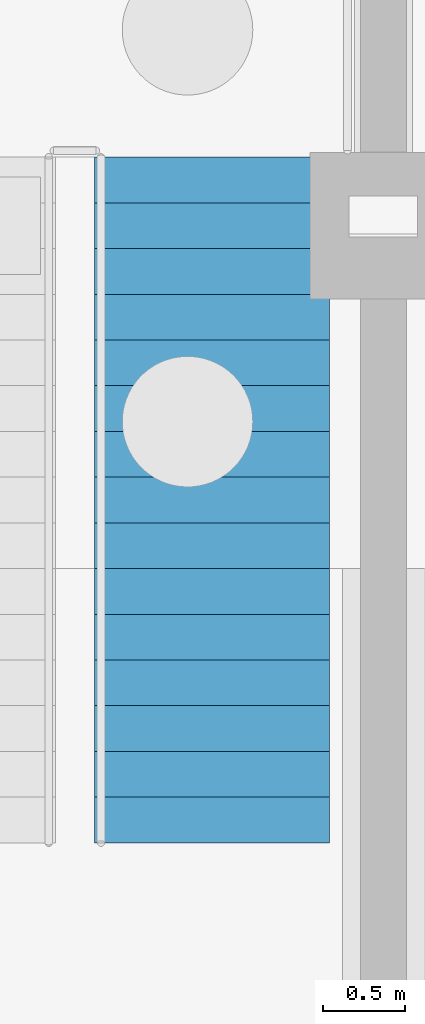
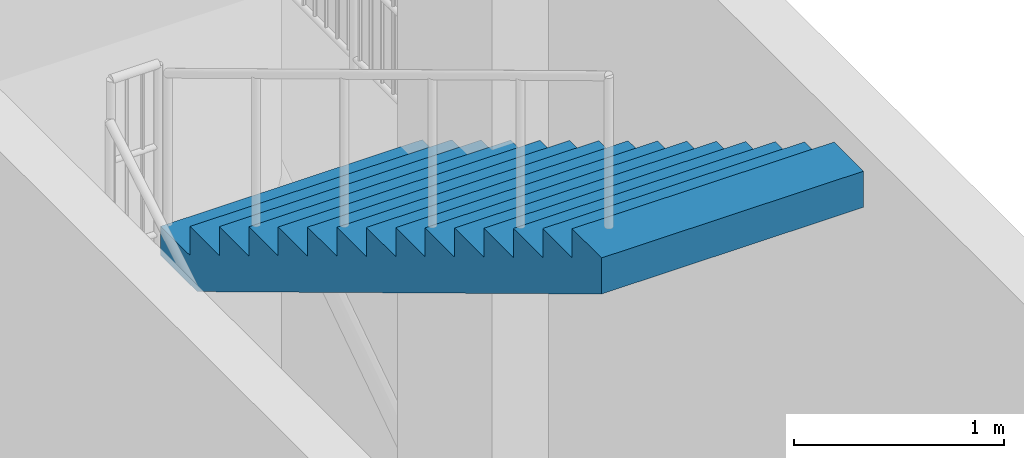
# One storey, part 28 of 35: 1 stair flight, 1 element without a shape of its own.
"""IFC4 building model written with IfcOpenShell, lengths in metres."""

from ifc_helpers import new_model, si_unit, direction, frame, origin, place, context, subcontext, project, spatial, polyline, outline, extrude, material, type_object, element, aggregate, save


model = new_model("IFC4")

# Units and contexts
model_context = context("Model", 3, precision=1e-05, world=origin(), true_north=direction((0.0, 1.0)))
body_context = subcontext(model_context, "Body", "Model", "MODEL_VIEW")
ifc_project = project(units=[si_unit("LENGTHUNIT", "METRE"), si_unit("AREAUNIT", "SQUARE_METRE"), si_unit("VOLUMEUNIT", "CUBIC_METRE"), si_unit("PLANEANGLEUNIT", "RADIAN"), si_unit("MASSUNIT", "GRAM", prefix="KILO")], contexts=[model_context])

# Site, building, storey
site_placement = place(None, origin())
site = spatial("IfcSite", under=ifc_project, at=site_placement, CompositionType="ELEMENT")
building_placement = place(site_placement, origin())
building = spatial("IfcBuilding", under=site, at=building_placement, Name="Vesperath Aquatics Centre", CompositionType="ELEMENT")
storey_placement = place(building_placement, frame((0.0, 0.0, -5.39990234375)))
storey = spatial("IfcBuildingStorey", under=building, at=storey_placement, Name="B1", CompositionType="ELEMENT", Elevation=-5.39990234375)

# Stair, stair flight
ifc_material = material(Name="Concrete C35", Category="concrete")
stair_type = type_object("IfcStairType", Name="ST-HT54", PredefinedType="HALF_TURN_STAIR", material=ifc_material)
stair_placement = place(storey_placement, origin())
stair = element("IfcStair", 1, at=stair_placement, inside=storey, type_object=stair_type, Name="Enclosed Exit Stair ST4 B1", PredefinedType="HALF_TURN_STAIR")
stair_flight_type = type_object("IfcStairFlightType", Name="SF-F54", PredefinedType="STRAIGHT", material=ifc_material)
stair_flight_placement = place(storey_placement, frame((171.75, 86.820068359375, 2.699951171875), z_axis=(0.0, 0.0, 1.0), x_axis=(0.0, -1.0, 0.0)))
stair_flight = element("IfcStairFlight", 2, at=stair_flight_placement, type_object=stair_flight_type, Name="Stair ST4 Flight 2 B1", NumberOfRisers=16, NumberOfTreads=15, PredefinedType="STRAIGHT", RiserHeight=0.16875, TreadLength=0.28, context=body_context, shape_type="SweptSolid", body=[
    extrude(outline(polyline([(0.0, 0.0), (0.0, 0.168701171875), (0.280029296875, 0.168701171875), (0.280029296875, 0.33740234375), (0.56005859375, 0.33740234375), (0.56005859375, 0.50634765625), (0.840087890625, 0.50634765625), (0.840087890625, 0.675048828125), (1.1201171875, 0.675048828125), (1.1201171875, 0.84375), (1.39990234375, 0.84375), (1.39990234375, 1.012451171875), (1.679931640625, 1.012451171875), (1.679931640625, 1.18115234375), (1.9599609375, 1.18115234375), (1.9599609375, 1.35009765625), (2.239990234375, 1.35009765625), (2.239990234375, 1.518798828125), (2.52001953125, 1.518798828125), (2.52001953125, 1.6875), (2.800048828125, 1.6875), (2.800048828125, 1.856201171875), (3.080078125, 1.856201171875), (3.080078125, 2.02490234375), (3.360107421875, 2.02490234375), (3.360107421875, 2.19384765625), (3.639892578125, 2.19384765625), (3.639892578125, 2.362548828125), (3.919921875, 2.362548828125), (3.919921875, 2.53125), (4.199951171875, 2.53125), (4.199951171875, 2.699951171875), (4.199951171875, 2.3212890625), (0.3486328125, 0.0), (0.0, 0.0)])), frame((0.0, 0.719970703125, 0.0), z_axis=(0.0, -1.0, 0.0), x_axis=(1.0, 0.0, 0.0)), (0.0, 0.0, 1.0), 1.43994140625),
])
aggregate(stair, [stair_flight])

save(model, "model.ifc")
